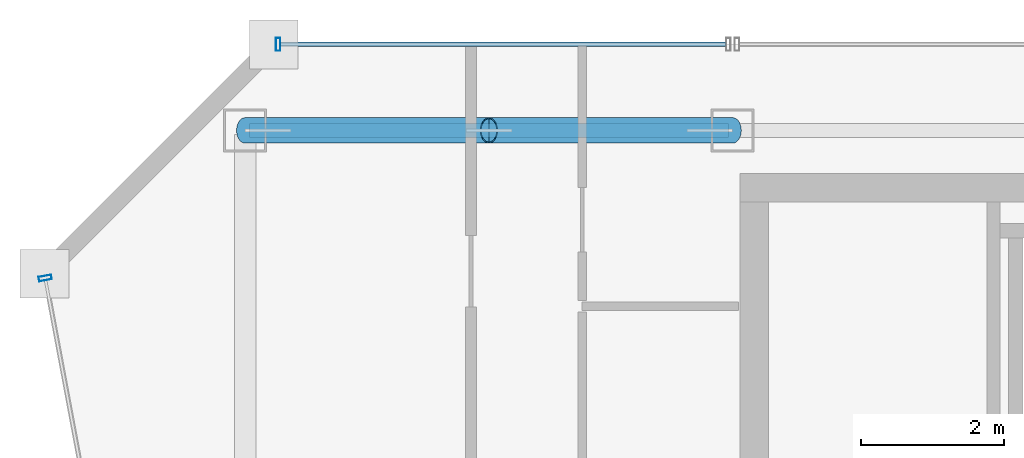
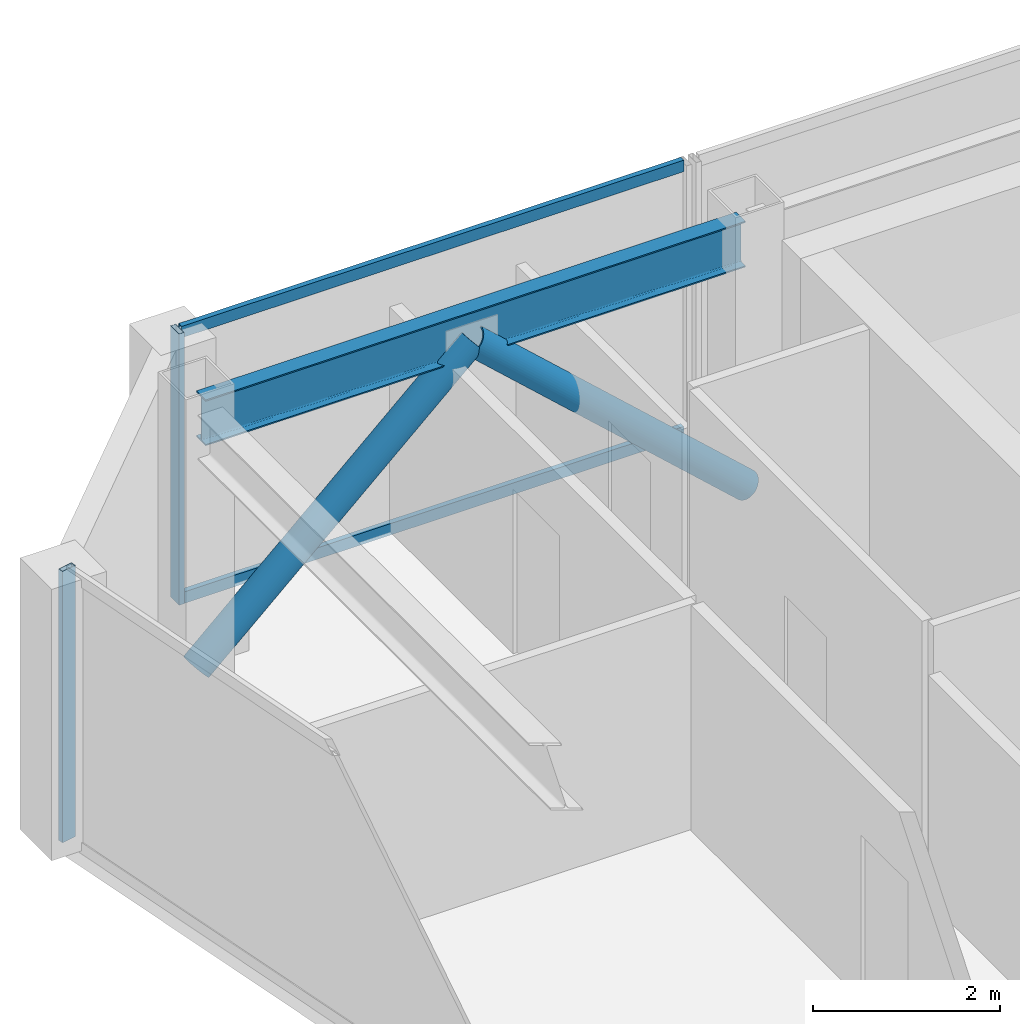
# One storey, part 8 of 22: 6 members, 1 beam, 2 elements without a shape of their own.
"""IFC4 building model written with IfcOpenShell, lengths in metres."""

from ifc_helpers import new_model, si_unit, direction, frame, origin, origin_2d, place, context, subcontext, project, spatial, hollow_rectangle, hollow_circle, i_section, extrude, material, material_profile, profile_set, type_object, element, aggregate, save


model = new_model("IFC4")

# Units and contexts
model_context = context("Model", 3, precision=1e-05, world=origin(), true_north=direction((0.0, 1.0)))
body_context = subcontext(model_context, "Body", "Model", "MODEL_VIEW")
ifc_project = project(units=[si_unit("LENGTHUNIT", "METRE"), si_unit("AREAUNIT", "SQUARE_METRE"), si_unit("VOLUMEUNIT", "CUBIC_METRE"), si_unit("PLANEANGLEUNIT", "RADIAN"), si_unit("MASSUNIT", "GRAM", prefix="KILO")], contexts=[model_context])

# Site, building, storey
site_placement = place(None, origin())
site = spatial("IfcSite", under=ifc_project, at=site_placement, CompositionType="ELEMENT")
building_placement = place(site_placement, origin())
building = spatial("IfcBuilding", under=site, at=building_placement, Name="Saevonmaru Cultural Tower", CompositionType="ELEMENT")
storey_placement = place(building_placement, frame((0.0, 0.0, 287.60009765625)))
storey = spatial("IfcBuildingStorey", under=building, at=storey_placement, Name="L68", CompositionType="ELEMENT", Elevation=287.60009765625)

# Beam
ifc_material_1 = material(Name="Steel SM355", Category="steel")
ifc_material_profile_1 = material_profile(ifc_material_1, i_section(OverallWidth=0.199951171875, OverallDepth=0.60009765625, WebThickness=0.010986328125, FlangeThickness=0.01708984375, FilletRadius=0.02197265625, at=origin_2d()), Name="H-600x200x11x17")
ifc_profile_set_1 = profile_set([ifc_material_profile_1], Name="Steel SM355")
beam_type = type_object("IfcBeamType", Name="BM-SP-H600", PredefinedType="SPANDREL", material=ifc_profile_set_1)
beam_placement = place(storey_placement, frame((6.860107421875, 54.800048828125, 3.25), z_axis=(1.0, 0.0, 0.0), x_axis=(0.0, 1.0, 0.0)))
element("IfcBeam", 1, at=beam_placement, inside=storey, type_object=beam_type, Name="L68 North Spine Girder 1", PredefinedType="SPANDREL", context=body_context, shape_type="SweptSolid", body=[
    extrude(i_section(OverallWidth=0.199951171875, OverallDepth=0.60009765625, WebThickness=0.010986328125, FlangeThickness=0.01708984375, FilletRadius=0.02197265625, at=origin_2d()), origin(), (0.0, 0.0, 1.0), 6.679931640625),
])

# Members
ifc_material_profile_2 = material_profile(ifc_material_1, hollow_circle(Radius=0.177734375, WallThickness=0.01611328125, at=origin_2d()), Name="CHS-355.6x16")
ifc_profile_set_2 = profile_set([ifc_material_profile_2], Name="Steel SM355")
member_type_1 = type_object("IfcMemberType", Name="MB-PBR-CHS356", PredefinedType="BRACE", material=ifc_profile_set_2)
member_1_placement = place(storey_placement, frame((6.800048828125, 54.800048828125, 0.02001953125), z_axis=(0.738962060105, 0.0, 0.673747039864), x_axis=(0.0, 1.0, 0.0)))
element("IfcMember", 2, at=member_1_placement, inside=storey, type_object=member_type_1, Name="L68 Perimeter Braced-Tube Diagonal WN1", PredefinedType="BRACE", context=body_context, shape_type="SweptSolid", body=[
    extrude(hollow_circle(Radius=0.177734375, WallThickness=0.01611328125, at=origin_2d()), origin(), (0.0, 0.0, 1.0), 4.600830078125),
])
member_2_placement = place(storey_placement, frame((13.60009765625, 54.800048828125, 0.02001953125), z_axis=(-0.738986146064, 0.0, 0.673720621568), x_axis=(0.0, -1.0, 0.0)))
element("IfcMember", 3, at=member_2_placement, inside=storey, type_object=member_type_1, Name="L68 Perimeter Braced-Tube Diagonal WN2", PredefinedType="BRACE", context=body_context, shape_type="SweptSolid", body=[
    extrude(hollow_circle(Radius=0.177734375, WallThickness=0.01611328125, at=origin_2d()), origin(), (0.0, 0.0, 1.0), 4.60107421875),
])

# Curtain wall, member
ifc_material_2 = material(Name="Satin Bronze Anodised Aluminium", Category="aluminium")
curtain_wall_type = type_object("IfcCurtainWallType", Name="CW-TYP-B", PredefinedType="NOTDEFINED", material=ifc_material_2)
curtain_wall_1_placement = place(storey_placement, origin())
curtain_wall_1 = element("IfcCurtainWall", 4, at=curtain_wall_1_placement, inside=storey, type_object=curtain_wall_type, Name="L68 West Braced Bay Spandrel Curtain Wall E10C", PredefinedType="NOTDEFINED")
ifc_material_profile_3 = material_profile(ifc_material_2, hollow_rectangle(XDim=0.06494140625, YDim=0.179931640625, WallThickness=0.00390625, at=origin_2d()), Name="ALU-MULL-180x65x4")
ifc_profile_set_3 = profile_set([ifc_material_profile_3], Name="Satin Bronze Anodised Aluminium")
member_type_2 = type_object("IfcMemberType", Name="ML-CW-180x65", PredefinedType="MULLION", material=ifc_profile_set_3)
member_3_placement = place(storey_placement, frame((7.260009765625, 56.0, 0.0), z_axis=(0.0, 0.0, 1.0), x_axis=(-1.0, 0.0, 0.0)))
member_3 = element("IfcMember", 5, at=member_3_placement, type_object=member_type_2, Name="CW-TW-L68-E10C mullion 2", PredefinedType="MULLION", context=body_context, shape_type="SweptSolid", body=[
    extrude(hollow_rectangle(XDim=0.06494140625, YDim=0.179931640625, WallThickness=0.00390625, at=origin_2d()), origin(), (0.0, 0.0, 1.0), 3.5498046875),
])

curtain_wall_2_placement = place(storey_placement, origin())
curtain_wall_2 = element("IfcCurtainWall", 6, at=curtain_wall_2_placement, inside=storey, type_object=curtain_wall_type, Name="L68 Unitised Curtain Wall E12", PredefinedType="NOTDEFINED")
member_4_placement = place(storey_placement, frame((4.010986328125, 52.740966796875, 0.0), z_axis=(0.0, 0.0, 1.0), x_axis=(0.184046528232, -0.982917532373, 0.0)))
member_4 = element("IfcMember", 7, at=member_4_placement, type_object=member_type_2, Name="CW-TW-L68-E12 mullion 1", PredefinedType="MULLION", context=body_context, shape_type="SweptSolid", body=[
    extrude(hollow_rectangle(XDim=0.06494140625, YDim=0.179931640625, WallThickness=0.00390625, at=origin_2d()), origin(), (0.0, 0.0, 1.0), 3.5498046875),
])
aggregate(curtain_wall_2, [member_4])

# Member
ifc_material_profile_4 = material_profile(ifc_material_2, hollow_rectangle(XDim=0.06494140625, YDim=0.14990234375, WallThickness=0.00390625, at=origin_2d()), Name="ALU-TRAN-150x65x4")
ifc_profile_set_4 = profile_set([ifc_material_profile_4], Name="Satin Bronze Anodised Aluminium")
member_type_3 = type_object("IfcMemberType", Name="TR-CW-150x65", PredefinedType="USERDEFINED", material=ifc_profile_set_4)
member_5_placement = place(storey_placement, frame((13.507568359375, 56.0, 0.032470703125), z_axis=(-1.0, 0.0, 0.0), x_axis=(0.0, -1.0, 0.0)))
member_5 = element("IfcMember", 8, at=member_5_placement, type_object=member_type_3, Name="CW-TW-L68-E10C transom 1.1", ObjectType="TRANSOM", PredefinedType="USERDEFINED", context=body_context, shape_type="SweptSolid", body=[
    extrude(hollow_rectangle(XDim=0.06494140625, YDim=0.14990234375, WallThickness=0.00390625, at=origin_2d()), origin(), (0.0, 0.0, 1.0), 6.215087890625),
])

member_6_placement = place(storey_placement, frame((13.507568359375, 56.0, 3.517333984375), z_axis=(-1.0, 0.0, 0.0), x_axis=(0.0, -1.0, 0.0)))
member_6 = element("IfcMember", 9, at=member_6_placement, type_object=member_type_3, Name="CW-TW-L68-E10C transom 1.2", ObjectType="TRANSOM", PredefinedType="USERDEFINED", context=body_context, shape_type="SweptSolid", body=[
    extrude(hollow_rectangle(XDim=0.06494140625, YDim=0.14990234375, WallThickness=0.00390625, at=origin_2d()), origin(), (0.0, 0.0, 1.0), 6.215087890625),
])

aggregate(curtain_wall_1, [member_3, member_5, member_6])

save(model, "model.ifc")
